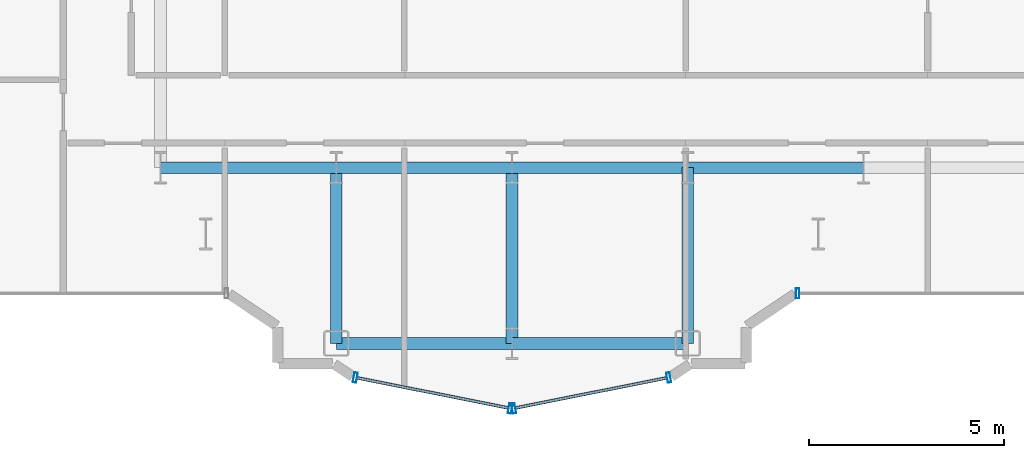
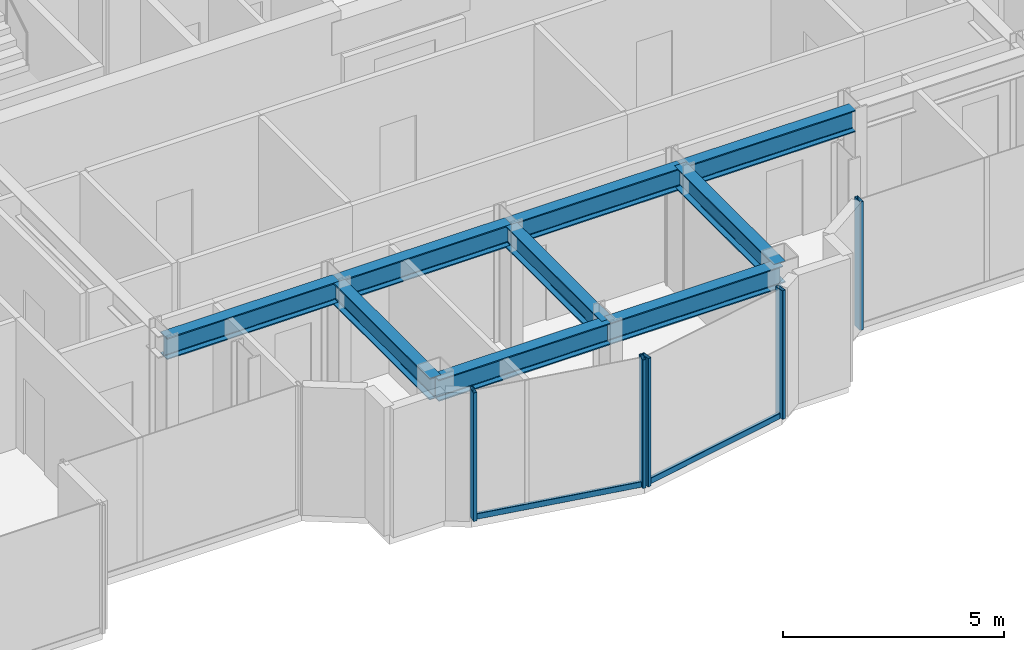
# One storey, part 3 of 21: 9 beams, 7 members, 3 elements without a shape of their own.
"""IFC4 building model written with IfcOpenShell, lengths in metres."""

from ifc_helpers import new_model, si_unit, direction, frame, origin, origin_2d, place, context, subcontext, project, spatial, hollow_rectangle, i_section, extrude, source, transform, mapped, material, layer, layer_set, material_profile, profile_set, type_object, element, aggregate, save


model = new_model("IFC4")

# Units and contexts
model_context = context("Model", 3, precision=1e-05, world=origin(), true_north=direction((0.0, 1.0)))
body_context = subcontext(model_context, "Body", "Model", "MODEL_VIEW")
ifc_project = project(units=[si_unit("LENGTHUNIT", "METRE"), si_unit("AREAUNIT", "SQUARE_METRE"), si_unit("VOLUMEUNIT", "CUBIC_METRE"), si_unit("PLANEANGLEUNIT", "RADIAN"), si_unit("MASSUNIT", "GRAM", prefix="KILO")], contexts=[model_context])

# Site, building, storey
site_placement = place(None, origin())
site = spatial("IfcSite", under=ifc_project, at=site_placement, CompositionType="ELEMENT")
building_placement = place(site_placement, origin())
building = spatial("IfcBuilding", under=site, at=building_placement, Name="Nefas-Gora Pilgrimage Tower", CompositionType="ELEMENT")
storey_placement = place(building_placement, frame((0.0, 0.0, 229.39990234375)))
storey = spatial("IfcBuildingStorey", under=building, at=storey_placement, Name="L57", CompositionType="ELEMENT", Elevation=229.39990234375)

# Beams
ifc_material_1 = material(Name="Steel S355", Category="steel")
ifc_material_profile_1 = material_profile(ifc_material_1, i_section(OverallWidth=0.300048828125, OverallDepth=0.60009765625, WebThickness=0.015380859375, FlangeThickness=0.030029296875, FilletRadius=0.027099609375, at=origin_2d()), Name="HEB 600")
ifc_profile_set_1 = profile_set([ifc_material_profile_1], Name="Steel S355")
beam_type = type_object("IfcBeamType", Name="BM-GIR-HEB600", PredefinedType="BEAM", material=ifc_profile_set_1)
shared_shape_1 = source(origin(), body_context, "Body", "SweptSolid", [
    extrude(i_section(OverallWidth=0.300048828125, OverallDepth=0.60009765625, WebThickness=0.015380859375, FlangeThickness=0.030029296875, FilletRadius=0.027099609375, at=origin_2d()), origin(), (0.0, 0.0, 1.0), 4.5),
])
for number, where, z_axis, x_axis, name in (
    (1, (-11.25, -18.0, 3.25), (1.0, 0.0, 0.0), (0.0, 1.0, 0.0), "L57 G-04 beam"),
    (2, (-6.75, -22.5, 3.25), (0.0, 1.0, 0.0), (-1.0, 0.0, 0.0), "L57 G-04 beam"),
    (3, (-6.75, -22.5, 3.25), (1.0, 0.0, 0.0), (0.0, 1.0, 0.0), "L57 G-04 beam"),
    (4, (-6.75, -18.0, 3.25), (1.0, 0.0, 0.0), (0.0, 1.0, 0.0), "L57 G-04 beam"),
    (5, (-2.25, -22.5, 3.25), (0.0, 1.0, 0.0), (-1.0, 0.0, 0.0), "L57 G-04 beam"),
    (6, (-2.25, -22.5, 3.25), (1.0, 0.0, 0.0), (0.0, 1.0, 0.0), "L57 G-04 beam"),
    (7, (-2.25, -18.0, 3.25), (1.0, 0.0, 0.0), (0.0, 1.0, 0.0), "L57 G-04 beam"),
    (8, (2.25, -22.5, 3.25), (0.0, 1.0, 0.0), (-1.0, 0.0, 0.0), "L57 G-04 beam"),
    (9, (2.25, -18.0, 3.25), (1.0, 0.0, 0.0), (0.0, 1.0, 0.0), "L57 G-04 beam"),
):
    element("IfcBeam", number, at=place(storey_placement, frame(where, z_axis=z_axis, x_axis=x_axis)), inside=storey, type_object=beam_type, Name=name, PredefinedType="BEAM", context=body_context, shape_type="MappedRepresentation", body=[
        mapped(shared_shape_1, transform((0.0, 0.0, 0.0), x_axis=(1.0, 0.0, 0.0), y_axis=(0.0, 1.0, 0.0), z_axis=(0.0, 0.0, 1.0), scale=1.0)),
    ])

# Curtain wall, member
ifc_material_2 = material(Name="Dark ceramic-fritted solar-control aluminium-glass curtain wall", Category="aluminium")
ifc_layer = layer(ifc_material_2, 0.219970703125)
ifc_layer_set = layer_set([ifc_layer], Name="Dark ceramic-fritted solar-control aluminium-glass curtain wall")
curtain_wall_type = type_object("IfcCurtainWallType", Name="CW-SYS-5", PredefinedType="NOTDEFINED", material=ifc_layer_set)
curtain_wall_1_placement = place(storey_placement, origin())
curtain_wall_1 = element("IfcCurtainWall", 10, at=curtain_wall_1_placement, inside=storey, type_object=curtain_wall_type, Name="L57 Unitised Curtain Wall CW5", PredefinedType="NOTDEFINED")
ifc_material_3 = material(Name="Anodised architectural aluminium", Category="aluminium")
ifc_material_profile_2 = material_profile(ifc_material_3, hollow_rectangle(XDim=0.090087890625, YDim=0.260009765625, WallThickness=0.006103515625, InnerFilletRadius=0.006103515625, OuterFilletRadius=0.011962890625, at=origin_2d()), Name="ALU MULLION 90x260")
ifc_profile_set_2 = profile_set([ifc_material_profile_2], Name="Anodised architectural aluminium")
member_type_1 = type_object("IfcMemberType", Name="CWM-MUL-5", PredefinedType="MULLION", material=ifc_profile_set_2)
shared_shape_2 = source(origin(), body_context, "Body", "SweptSolid", [
    extrude(hollow_rectangle(XDim=0.090087890625, YDim=0.260009765625, WallThickness=0.006103515625, InnerFilletRadius=0.006103515625, OuterFilletRadius=0.011962890625, at=origin_2d()), origin(), (0.0, 0.0, 1.0), 3.550048828125),
])
member_1_placement = place(storey_placement, frame((5.06298828125, -21.219970703125, 0.0), z_axis=(0.0, 0.0, 1.0), x_axis=(1.0, 0.0, 0.0)))
member_1 = element("IfcMember", 11, at=member_1_placement, type_object=member_type_1, Name="CW5 Mullion 1", PredefinedType="MULLION", context=body_context, shape_type="MappedRepresentation", body=[
    mapped(shared_shape_2, transform((0.0, 0.0, 0.0), x_axis=(1.0, 0.0, 0.0), y_axis=(0.0, 1.0, 0.0), z_axis=(0.0, 0.0, 1.0), scale=1.0)),
])
aggregate(curtain_wall_1, [member_1])

# Curtain wall, members
curtain_wall_2_placement = place(storey_placement, origin())
curtain_wall_2 = element("IfcCurtainWall", 12, at=curtain_wall_2_placement, inside=storey, type_object=curtain_wall_type, Name="L57 Unitised Curtain Wall CW5", PredefinedType="NOTDEFINED")
member_2_placement = place(storey_placement, frame((-6.26318359375, -23.3740234375, 0.0), z_axis=(0.0, 0.0, 1.0), x_axis=(0.980782896852, -0.195102304554, 0.0)))
member_2 = element("IfcMember", 13, at=member_2_placement, type_object=member_type_1, Name="CW5 Mullion 1", PredefinedType="MULLION", context=body_context, shape_type="MappedRepresentation", body=[
    mapped(shared_shape_2, transform((0.0, 0.0, 0.0), x_axis=(1.0, 0.0, 0.0), y_axis=(0.0, 1.0, 0.0), z_axis=(0.0, 0.0, 1.0), scale=1.0)),
])
member_3_placement = place(storey_placement, frame((-2.294189453125, -24.16357421875, 0.0), z_axis=(0.0, 0.0, 1.0), x_axis=(0.980782896852, -0.195102304554, 0.0)))
member_3 = element("IfcMember", 14, at=member_3_placement, type_object=member_type_1, Name="CW5 Mullion 2", PredefinedType="MULLION", context=body_context, shape_type="MappedRepresentation", body=[
    mapped(shared_shape_2, transform((0.0, 0.0, 0.0), x_axis=(1.0, 0.0, 0.0), y_axis=(0.0, 1.0, 0.0), z_axis=(0.0, 0.0, 1.0), scale=1.0)),
])

curtain_wall_3_placement = place(storey_placement, origin())
curtain_wall_3 = element("IfcCurtainWall", 15, at=curtain_wall_3_placement, inside=storey, type_object=curtain_wall_type, Name="L57 Unitised Curtain Wall CW5", PredefinedType="NOTDEFINED")
member_4_placement = place(storey_placement, frame((-2.205810546875, -24.16357421875, 0.0), z_axis=(0.0, 0.0, 1.0), x_axis=(0.980782896852, 0.195102304554, 0.0)))
member_4 = element("IfcMember", 16, at=member_4_placement, type_object=member_type_1, Name="CW5 Mullion 1", PredefinedType="MULLION", context=body_context, shape_type="MappedRepresentation", body=[
    mapped(shared_shape_2, transform((0.0, 0.0, 0.0), x_axis=(1.0, 0.0, 0.0), y_axis=(0.0, 1.0, 0.0), z_axis=(0.0, 0.0, 1.0), scale=1.0)),
])
member_5_placement = place(storey_placement, frame((1.76318359375, -23.3740234375, 0.0), z_axis=(0.0, 0.0, 1.0), x_axis=(0.980782896852, 0.195102304554, 0.0)))
member_5 = element("IfcMember", 17, at=member_5_placement, type_object=member_type_1, Name="CW5 Mullion 2", PredefinedType="MULLION", context=body_context, shape_type="MappedRepresentation", body=[
    mapped(shared_shape_2, transform((0.0, 0.0, 0.0), x_axis=(1.0, 0.0, 0.0), y_axis=(0.0, 1.0, 0.0), z_axis=(0.0, 0.0, 1.0), scale=1.0)),
])

# Member
ifc_material_profile_3 = material_profile(ifc_material_3, hollow_rectangle(XDim=0.080078125, YDim=0.159912109375, WallThickness=0.00439453125, InnerFilletRadius=0.00439453125, OuterFilletRadius=0.009033203125, at=origin_2d()), Name="ALU TRANSOM 80x160")
ifc_profile_set_3 = profile_set([ifc_material_profile_3], Name="Anodised architectural aluminium")
member_type_2 = type_object("IfcMemberType", Name="CWM-TRN-5", PredefinedType="USERDEFINED", material=ifc_profile_set_3)
shared_shape_3 = source(origin(), body_context, "Body", "SweptSolid", [
    extrude(hollow_rectangle(XDim=0.080078125, YDim=0.159912109375, WallThickness=0.00439453125, InnerFilletRadius=0.00439453125, OuterFilletRadius=0.009033203125, at=origin_2d()), origin(), (0.0, 0.0, 1.0), 3.95654296875),
])
member_6_placement = place(storey_placement, frame((-6.218994140625, -23.3828125, 0.050048828125), z_axis=(0.980781880918, -0.195107411605, 0.0), x_axis=(0.195107411605, 0.980781880918, 0.0)))
member_6 = element("IfcMember", 18, at=member_6_placement, type_object=member_type_2, Name="CW5 Spandrel Transom", ObjectType="TRANSOM", PredefinedType="USERDEFINED", context=body_context, shape_type="MappedRepresentation", body=[
    mapped(shared_shape_3, transform((0.0, 0.0, 0.0), x_axis=(1.0, 0.0, 0.0), y_axis=(0.0, 1.0, 0.0), z_axis=(0.0, 0.0, 1.0), scale=1.0)),
])

aggregate(curtain_wall_2, [member_2, member_3, member_6])

member_7_placement = place(storey_placement, frame((-2.16162109375, -24.15478515625, 0.050048828125), z_axis=(0.980781880918, 0.195107411605, 0.0), x_axis=(-0.195107411605, 0.980781880918, 0.0)))
member_7 = element("IfcMember", 19, at=member_7_placement, type_object=member_type_2, Name="CW5 Spandrel Transom", ObjectType="TRANSOM", PredefinedType="USERDEFINED", context=body_context, shape_type="MappedRepresentation", body=[
    mapped(shared_shape_3, transform((0.0, 0.0, 0.0), x_axis=(1.0, 0.0, 0.0), y_axis=(0.0, 1.0, 0.0), z_axis=(0.0, 0.0, 1.0), scale=1.0)),
])

aggregate(curtain_wall_3, [member_4, member_5, member_7])

save(model, "model.ifc")
